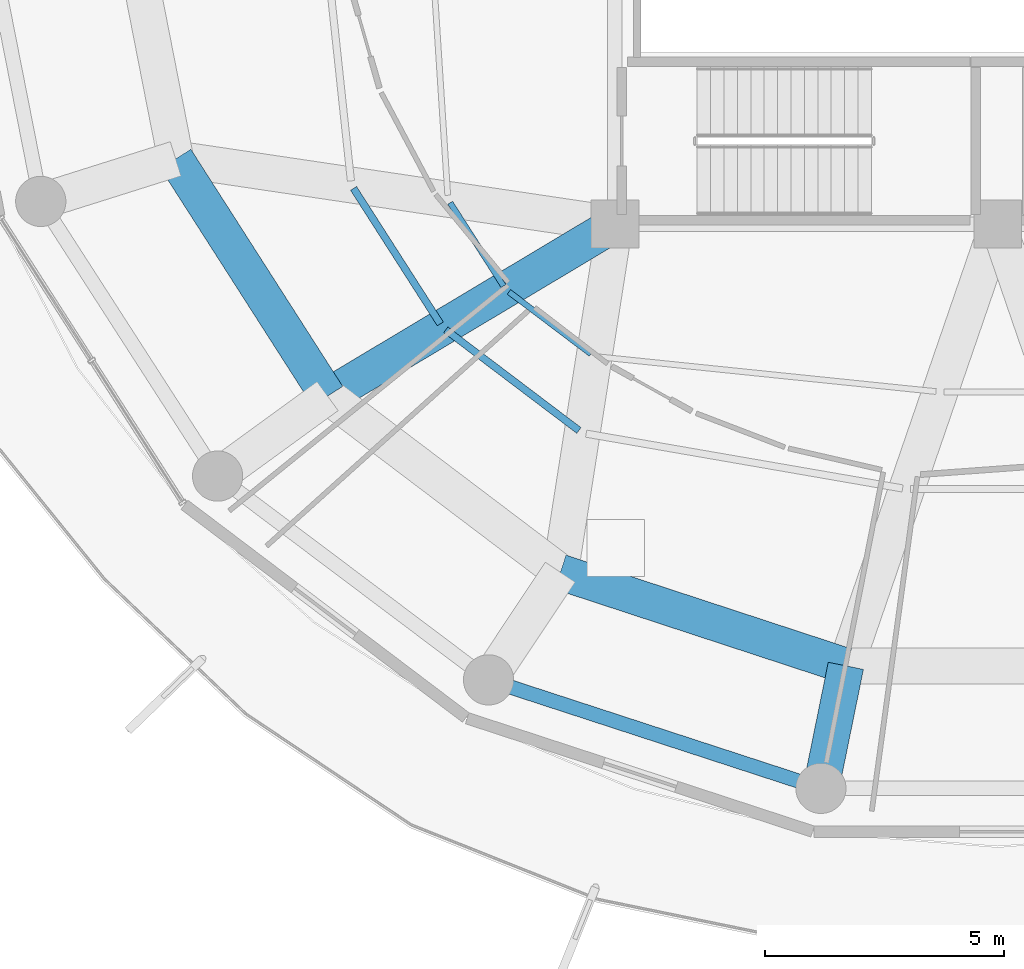
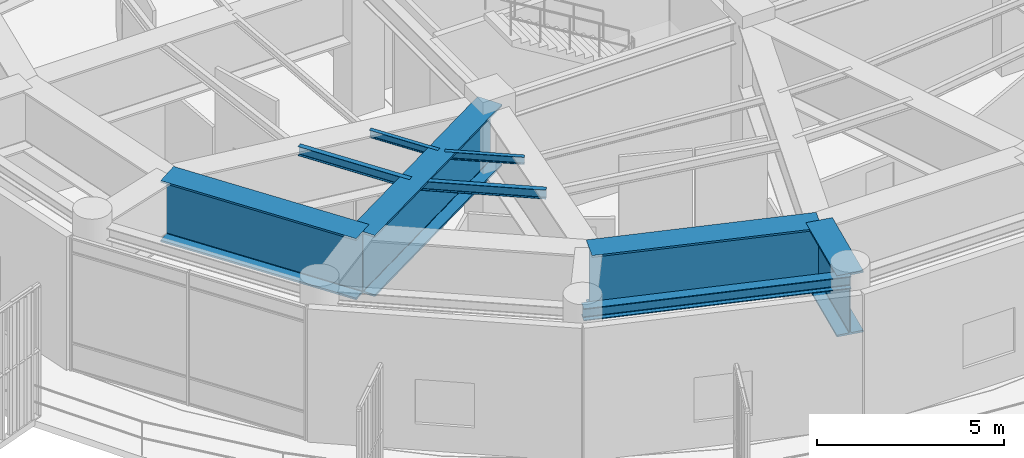
# One storey, part 3 of 29: 9 beams.
"""IFC4 building model written with IfcOpenShell, lengths in metres."""

from ifc_helpers import new_model, si_unit, direction, frame, origin, origin_2d, place, context, subcontext, project, spatial, i_section, extrude, material, material_profile, profile_set, type_object, element, save


model = new_model("IFC4")

# Units and contexts
model_context = context("Model", 3, precision=1e-05, world=origin(), true_north=direction((0.0, 1.0)))
body_context = subcontext(model_context, "Body", "Model", "MODEL_VIEW")
ifc_project = project(units=[si_unit("LENGTHUNIT", "METRE"), si_unit("AREAUNIT", "SQUARE_METRE"), si_unit("VOLUMEUNIT", "CUBIC_METRE"), si_unit("PLANEANGLEUNIT", "RADIAN"), si_unit("MASSUNIT", "GRAM", prefix="KILO")], contexts=[model_context])

# Site, building, storey
site_placement = place(None, origin())
site = spatial("IfcSite", under=ifc_project, at=site_placement, CompositionType="ELEMENT")
building_placement = place(site_placement, origin())
building = spatial("IfcBuilding", under=site, at=building_placement, Name="Kelanora Arch Commons", CompositionType="ELEMENT")
storey_placement = place(building_placement, frame((0.0, 0.0, 238.199951171875)))
storey = spatial("IfcBuildingStorey", under=building, at=storey_placement, Name="L61", CompositionType="ELEMENT", Elevation=238.199951171875)

# Beams
ifc_material = material(Name="Steel S355", Category="steel")
ifc_material_profile_1 = material_profile(ifc_material, i_section(OverallWidth=0.14990234375, OverallDepth=0.300048828125, WebThickness=0.007080078125, FlangeThickness=0.0107421875, FilletRadius=0.014892578125, at=origin_2d()), Name="IPE300")
ifc_profile_set_1 = profile_set([ifc_material_profile_1], Name="Steel S355")
beam_type_1 = type_object("IfcBeamType", Name="BM-JST-01", PredefinedType="JOIST", material=ifc_profile_set_1)
beam_1_placement = place(storey_placement, frame((60.539306640625, 51.74658203125, 4.2099609375), z_axis=(0.539321586177, -0.842099891155, 0.0), x_axis=(0.842099891155, 0.539321586177, 0.0)))
element("IfcBeam", 1, at=beam_1_placement, inside=storey, type_object=beam_type_1, Name="Secondary Chord Joist BJB-20 L61", PredefinedType="JOIST", context=body_context, shape_type="SweptSolid", body=[
    extrude(i_section(OverallWidth=0.14990234375, OverallDepth=0.300048828125, WebThickness=0.007080078125, FlangeThickness=0.0107421875, FilletRadius=0.014892578125, at=origin_2d()), origin(), (0.0, 0.0, 1.0), 3.361572265625),
])
beam_2_placement = place(storey_placement, frame((62.4658203125, 48.79296875, 4.2099609375), z_axis=(0.797499198801, -0.603320004568, 0.0), x_axis=(0.603320004568, 0.797499198801, 0.0)))
element("IfcBeam", 2, at=beam_2_placement, inside=storey, type_object=beam_type_1, Name="Secondary Chord Joist BJB-22 L61", PredefinedType="JOIST", context=body_context, shape_type="SweptSolid", body=[
    extrude(i_section(OverallWidth=0.14990234375, OverallDepth=0.300048828125, WebThickness=0.007080078125, FlangeThickness=0.0107421875, FilletRadius=0.014892578125, at=origin_2d()), origin(), (0.0, 0.0, 1.0), 3.489013671875),
])
ifc_material_profile_2 = material_profile(ifc_material, i_section(OverallWidth=0.1201171875, OverallDepth=0.239990234375, WebThickness=0.006103515625, FlangeThickness=0.009765625, FilletRadius=0.014892578125, at=origin_2d()), Name="IPE240")
ifc_profile_set_2 = profile_set([ifc_material_profile_2], Name="Steel S355")
beam_type_2 = type_object("IfcBeamType", Name="BM-JST-02", PredefinedType="JOIST", material=ifc_profile_set_2)
beam_3_placement = place(storey_placement, frame((62.558349609375, 51.446533203125, 4.239990234375), z_axis=(0.539311810315, -0.842106152011, 0.0), x_axis=(0.842106152011, 0.539311810315, 0.0)))
element("IfcBeam", 3, at=beam_3_placement, inside=storey, type_object=beam_type_2, Name="Secondary Chord Joist BJA-20 L61", PredefinedType="JOIST", context=body_context, shape_type="SweptSolid", body=[
    extrude(i_section(OverallWidth=0.1201171875, OverallDepth=0.239990234375, WebThickness=0.006103515625, FlangeThickness=0.009765625, FilletRadius=0.014892578125, at=origin_2d()), origin(), (0.0, 0.0, 1.0), 2.06640625),
])
beam_4_placement = place(storey_placement, frame((63.78662109375, 49.583251953125, 4.239990234375), z_axis=(0.797509883882, -0.603305880222, 0.0), x_axis=(0.603305880222, 0.797509883882, 0.0)))
element("IfcBeam", 4, at=beam_4_placement, inside=storey, type_object=beam_type_2, Name="Secondary Chord Joist BJA-22 L61", PredefinedType="JOIST", context=body_context, shape_type="SweptSolid", body=[
    extrude(i_section(OverallWidth=0.1201171875, OverallDepth=0.239990234375, WebThickness=0.006103515625, FlangeThickness=0.009765625, FilletRadius=0.014892578125, at=origin_2d()), origin(), (0.0, 0.0, 1.0), 2.147216796875),
])
ifc_material_profile_3 = material_profile(ifc_material, i_section(OverallWidth=0.300048828125, OverallDepth=0.39990234375, WebThickness=0.013427734375, FlangeThickness=0.02392578125, FilletRadius=0.027099609375, at=origin_2d()), Name="HEB400")
ifc_profile_set_3 = profile_set([ifc_material_profile_3], Name="Steel S355")
beam_type_3 = type_object("IfcBeamType", Name="BM-SPN-Z4", PredefinedType="SPANDREL", material=ifc_profile_set_3)
beam_5_placement = place(storey_placement, frame((63.360107421875, 41.476318359375, 4.16015625), z_axis=(0.950656361143, -0.310245842872, 0.0), x_axis=(0.310245842872, 0.950656361143, 0.0)))
element("IfcBeam", 5, at=beam_5_placement, inside=storey, type_object=beam_type_3, Name="Perimeter Spandrel Beam BS-24 L61", PredefinedType="SPANDREL", context=body_context, shape_type="SweptSolid", body=[
    extrude(i_section(OverallWidth=0.300048828125, OverallDepth=0.39990234375, WebThickness=0.013427734375, FlangeThickness=0.02392578125, FilletRadius=0.027099609375, at=origin_2d()), origin(), (0.0, 0.0, 1.0), 7.304931640625),
])
ifc_material_profile_4 = material_profile(ifc_material, i_section(OverallWidth=0.75, OverallDepth=2.0, WebThickness=0.034912109375, FlangeThickness=0.06005859375, FilletRadius=0.028076171875, at=origin_2d()), Name="PG2000x750")
ifc_profile_set_4 = profile_set([ifc_material_profile_4], Name="Steel S355")
beam_type_4 = type_object("IfcBeamType", Name="BM-XFER-SET", PredefinedType="USERDEFINED", material=ifc_profile_set_4)
beam_6_placement = place(storey_placement, frame((66.0, 51.0, 3.360107421875), z_axis=(-0.858062005744, -0.513546097541, 0.0), x_axis=(0.513546097541, -0.858062005744, 0.0)))
element("IfcBeam", 6, at=beam_6_placement, inside=storey, type_object=beam_type_4, Name="Setback Radial Transfer Girder BRI-22 L61", ObjectType="TRANSFER_GIRDER", PredefinedType="USERDEFINED", context=body_context, shape_type="SweptSolid", body=[
    extrude(i_section(OverallWidth=0.75, OverallDepth=2.0, WebThickness=0.034912109375, FlangeThickness=0.06005859375, FilletRadius=0.028076171875, at=origin_2d()), origin(), (0.0, 0.0, 1.0), 6.99658203125),
])
beam_7_placement = place(storey_placement, frame((70.82568359375, 41.7705078125, 3.360107421875), z_axis=(-0.199385185861, -0.979921194617, 0.0), x_axis=(0.979921194617, -0.199385185861, 0.0)))
element("IfcBeam", 7, at=beam_7_placement, inside=storey, type_object=beam_type_4, Name="Radial Floor Girder BR-26 L61", ObjectType="TRANSFER_GIRDER", PredefinedType="USERDEFINED", context=body_context, shape_type="SweptSolid", body=[
    extrude(i_section(OverallWidth=0.75, OverallDepth=2.0, WebThickness=0.034912109375, FlangeThickness=0.06005859375, FilletRadius=0.028076171875, at=origin_2d()), origin(), (0.0, 0.0, 1.0), 2.613037109375),
])
beam_8_placement = place(storey_placement, frame((56.822509765625, 52.363525390625, 3.360107421875), z_axis=(0.539280851353, -0.842125978322, 0.0), x_axis=(0.842125978322, 0.539280851353, 0.0)))
element("IfcBeam", 8, at=beam_8_placement, inside=storey, type_object=beam_type_4, Name="Setback Inner Transfer Ring BSI-20 L61", ObjectType="TRANSFER_GIRDER", PredefinedType="USERDEFINED", context=body_context, shape_type="SweptSolid", body=[
    extrude(i_section(OverallWidth=0.75, OverallDepth=2.0, WebThickness=0.034912109375, FlangeThickness=0.06005859375, FilletRadius=0.028076171875, at=origin_2d()), origin(), (0.0, 0.0, 1.0), 5.8857421875),
])
beam_9_placement = place(storey_placement, frame((64.860107421875, 43.727783203125, 3.360107421875), z_axis=(0.950165923039, -0.311744636996, 0.0), x_axis=(0.311744636996, 0.950165923039, 0.0)))
element("IfcBeam", 9, at=beam_9_placement, inside=storey, type_object=beam_type_4, Name="Setback Inner Transfer Ring BSI-24 L61", ObjectType="TRANSFER_GIRDER", PredefinedType="USERDEFINED", context=body_context, shape_type="SweptSolid", body=[
    extrude(i_section(OverallWidth=0.75, OverallDepth=2.0, WebThickness=0.034912109375, FlangeThickness=0.06005859375, FilletRadius=0.028076171875, at=origin_2d()), origin(), (0.0, 0.0, 1.0), 6.278564453125),
])

save(model, "model.ifc")
